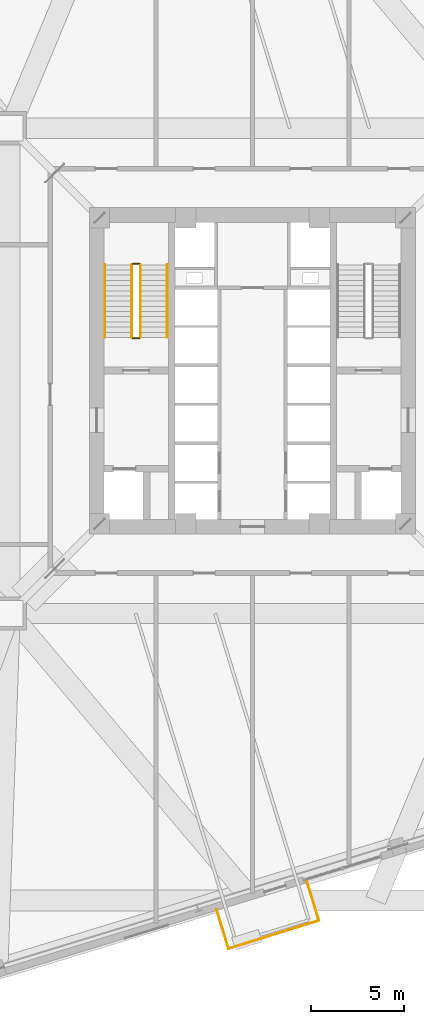
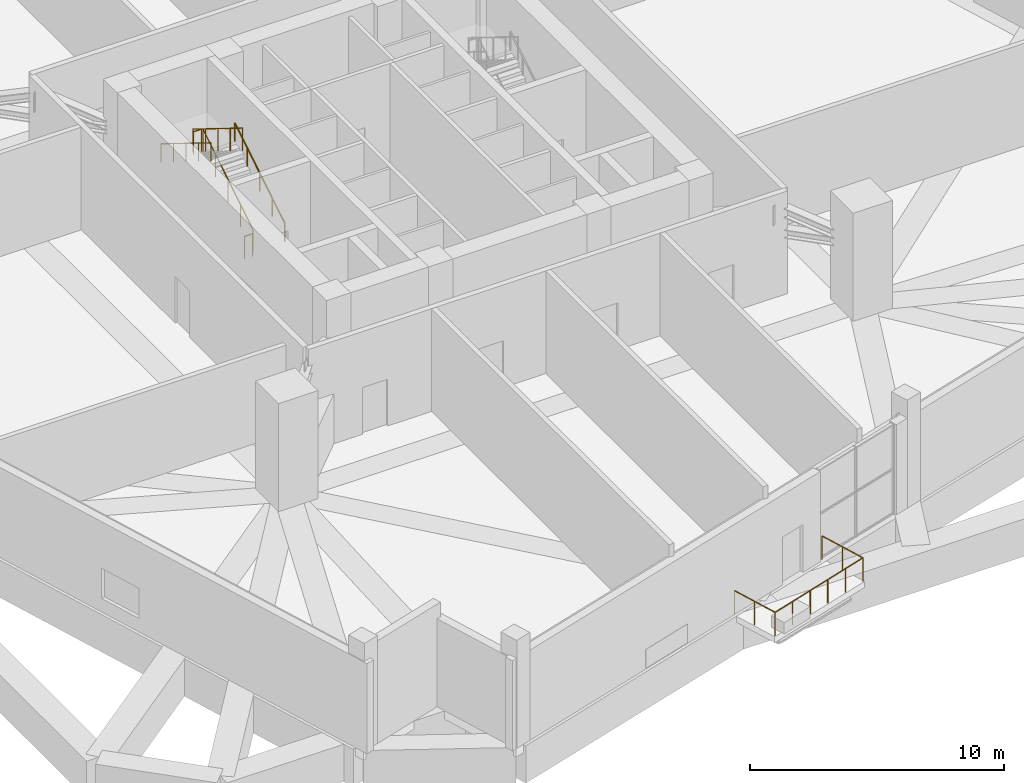
# One storey, part 20 of 22: 9 railings.
"""IFC4 building model written with IfcOpenShell, lengths in metres."""

from ifc_helpers import new_model, si_unit, direction, frame, origin, origin_2d, place, context, subcontext, project, spatial, circle, extrude, source, transform, mapped, material, type_object, element, save


model = new_model("IFC4")

# Units and contexts
model_context = context("Model", 3, precision=1e-05, world=origin(), true_north=direction((0.0, 1.0)))
body_context = subcontext(model_context, "Body", "Model", "MODEL_VIEW")
ifc_project = project(units=[si_unit("LENGTHUNIT", "METRE"), si_unit("AREAUNIT", "SQUARE_METRE"), si_unit("VOLUMEUNIT", "CUBIC_METRE"), si_unit("PLANEANGLEUNIT", "RADIAN"), si_unit("MASSUNIT", "GRAM", prefix="KILO"), si_unit("THERMODYNAMICTEMPERATUREUNIT", "KELVIN")], contexts=[model_context])

# Site, building, storey
site_placement = place(None, origin())
site = spatial("IfcSite", under=ifc_project, at=site_placement, CompositionType="ELEMENT")
building_placement = place(site_placement, origin())
building = spatial("IfcBuilding", under=site, at=building_placement, Name="Kosmvard Interchange Tower", CompositionType="ELEMENT")
storey_placement = place(building_placement, frame((0.0, 0.0, 78.0)))
storey = spatial("IfcBuildingStorey", under=building, at=storey_placement, Name="L18", CompositionType="ELEMENT", Elevation=78.0)

# Railings
ifc_material = material(Name="Steel S355", Category="steel")
railing_type_1 = type_object("IfcRailingType", Name="Observation & Balcony Glass-Infill Balustrade 1150", PredefinedType="BALUSTRADE", material=ifc_material)
shared_shape_1 = source(origin(), body_context, "Body", "SweptSolid", [
    extrude(circle(Radius=0.02392578125, at=origin_2d()), frame((0.0, 0.0, 1.1259765625), z_axis=(0.292424349234, -0.956288659336, 0.0), x_axis=(0.956288659336, 0.292424349234, 0.0)), (0.0, 0.0, 1.0), 2.199951171875),
    extrude(circle(Radius=0.02099609375, at=origin_2d()), origin(), (0.0, 0.0, 1.0), 1.101806640625),
    extrude(circle(Radius=0.02099609375, at=origin_2d()), frame((0.32177734375, -1.0517578125, 0.0)), (0.0, 0.0, 1.0), 1.101806640625),
    extrude(circle(Radius=0.02099609375, at=origin_2d()), frame((0.643310546875, -2.103759765625, 0.0)), (0.0, 0.0, 1.0), 1.101806640625),
])
railing_1_placement = place(storey_placement, frame((-1.929931640625, -29.048583984375, 0.0)))
element("IfcRailing", 1, at=railing_1_placement, inside=storey, type_object=railing_type_1, Name="L18 Outdoor Terrace Guard SKG-L18-S-A", PredefinedType="BALUSTRADE", context=body_context, shape_type="MappedRepresentation", body=[
    mapped(shared_shape_1, transform((0.0, 0.0, 0.0), scale=1.0)),
])
shared_shape_2 = source(origin(), body_context, "Body", "SweptSolid", [
    extrude(circle(Radius=0.02392578125, at=origin_2d()), frame((0.0, 0.0, 1.1259765625), z_axis=(0.9547816624, 0.29730788275, 0.0), x_axis=(-0.29730788275, 0.9547816624, 0.0)), (0.0, 0.0, 1.0), 5.103515625),
    extrude(circle(Radius=0.02099609375, at=origin_2d()), origin(), (0.0, 0.0, 1.0), 1.101806640625),
    extrude(circle(Radius=0.02099609375, at=origin_2d()), frame((0.974609375, 0.303466796875, 0.0)), (0.0, 0.0, 1.0), 1.101806640625),
    extrude(circle(Radius=0.02099609375, at=origin_2d()), frame((1.94921875, 0.60693359375, 0.0)), (0.0, 0.0, 1.0), 1.101806640625),
    extrude(circle(Radius=0.02099609375, at=origin_2d()), frame((2.923583984375, 0.910400390625, 0.0)), (0.0, 0.0, 1.0), 1.101806640625),
    extrude(circle(Radius=0.02099609375, at=origin_2d()), frame((3.898193359375, 1.2138671875, 0.0)), (0.0, 0.0, 1.0), 1.101806640625),
    extrude(circle(Radius=0.02099609375, at=origin_2d()), frame((4.872802734375, 1.517333984375, 0.0)), (0.0, 0.0, 1.0), 1.101806640625),
])
railing_2_placement = place(storey_placement, frame((-1.28662109375, -31.15234375, 0.0)))
element("IfcRailing", 2, at=railing_2_placement, inside=storey, type_object=railing_type_1, Name="L18 Outdoor Terrace Guard SKG-L18-S-B", PredefinedType="BALUSTRADE", context=body_context, shape_type="MappedRepresentation", body=[
    mapped(shared_shape_2, transform((0.0, 0.0, 0.0), scale=1.0)),
])
shared_shape_3 = source(origin(), body_context, "Body", "SweptSolid", [
    extrude(circle(Radius=0.02392578125, at=origin_2d()), frame((0.0, 0.0, 1.1259765625), z_axis=(-0.292393318538, 0.956298147689, 0.0), x_axis=(-0.956298147689, -0.292393318538, 0.0)), (0.0, 0.0, 1.0), 2.2001953125),
    extrude(circle(Radius=0.02099609375, at=origin_2d()), origin(), (0.0, 0.0, 1.0), 1.101806640625),
    extrude(circle(Radius=0.02099609375, at=origin_2d()), frame((-0.32177734375, 1.052001953125, 0.0)), (0.0, 0.0, 1.0), 1.101806640625),
    extrude(circle(Radius=0.02099609375, at=origin_2d()), frame((-0.643310546875, 2.10400390625, 0.0)), (0.0, 0.0, 1.0), 1.101806640625),
])
railing_3_placement = place(storey_placement, frame((3.586181640625, -29.635009765625, 0.0)))
element("IfcRailing", 3, at=railing_3_placement, inside=storey, type_object=railing_type_1, Name="L18 Outdoor Terrace Guard SKG-L18-S-C", PredefinedType="BALUSTRADE", context=body_context, shape_type="MappedRepresentation", body=[
    mapped(shared_shape_3, transform((0.0, 0.0, 0.0), scale=1.0)),
])
railing_type_2 = type_object("IfcRailingType", Name="Stair & Terrace Safety Guardrail 1100 Steel", PredefinedType="GUARDRAIL", material=ifc_material)
shared_shape_4 = source(origin(), body_context, "Body", "SweptSolid", [
    extrude(circle(Radius=0.02392578125, at=origin_2d()), frame((0.0, 0.0, 1.076171875), z_axis=(-1.0, 0.0, 0.0), x_axis=(0.0, -1.0, 0.0)), (0.0, 0.0, 1.0), 0.35986328125),
    extrude(circle(Radius=0.02099609375, at=origin_2d()), origin(), (0.0, 0.0, 1.0), 1.052001953125),
    extrude(circle(Radius=0.02099609375, at=origin_2d()), frame((-0.35986328125, 0.0, 0.0)), (0.0, 0.0, 1.0), 1.052001953125),
])
for number, where, name in (
    (4, (-6.090087890625, 5.77001953125, 2.60009765625), "L18 ST-1 stair guard 2"),
    (5, (-6.090087890625, 1.75, 0.0), "L18 ST-1 stair guard 4"),
):
    element("IfcRailing", number, at=place(storey_placement, frame(where)), inside=storey, type_object=railing_type_2, Name=name, PredefinedType="GUARDRAIL", context=body_context, shape_type="MappedRepresentation", body=[
        mapped(shared_shape_4, transform((0.0, 0.0, 0.0), scale=1.0)),
    ])
shared_shape_5 = source(origin(), body_context, "Body", "SweptSolid", [
    extrude(circle(Radius=0.02392578125, at=origin_2d()), frame((0.0, 0.0, 1.076171875), z_axis=(0.0, 0.850251603719, 0.526376491091), x_axis=(-1.0, 0.0, 0.0)), (0.0, 0.0, 1.0), 4.6103515625),
    extrude(circle(Radius=0.02099609375, at=origin_2d()), origin(), (0.0, 0.0, 1.0), 1.052001953125),
    extrude(circle(Radius=0.02099609375, at=origin_2d()), frame((0.0, 0.97998046875, 0.606689453125)), (0.0, 0.0, 1.0), 1.052001953125),
    extrude(circle(Radius=0.02099609375, at=origin_2d()), frame((0.0, 1.9599609375, 1.21337890625)), (0.0, 0.0, 1.0), 1.052001953125),
    extrude(circle(Radius=0.02099609375, at=origin_2d()), frame((0.0, 2.93994140625, 1.820068359375)), (0.0, 0.0, 1.0), 1.052001953125),
    extrude(circle(Radius=0.02099609375, at=origin_2d()), frame((0.0, 3.919921875, 2.4267578125)), (0.0, 0.0, 1.0), 1.052001953125),
])
railing_4_placement = place(storey_placement, frame((-6.0400390625, 1.800048828125, 0.17333984375)))
element("IfcRailing", 6, at=railing_4_placement, inside=storey, type_object=railing_type_2, Name="L18 ST-1 stair guard 1", PredefinedType="GUARDRAIL", context=body_context, shape_type="MappedRepresentation", body=[
    mapped(shared_shape_5, transform((0.0, 0.0, 0.0), scale=1.0)),
])
shared_shape_6 = source(origin(), body_context, "Body", "SweptSolid", [
    extrude(circle(Radius=0.02392578125, at=origin_2d()), frame((0.0, 0.0, 1.076171875), z_axis=(0.0, -0.850275303828, 0.526338206574), x_axis=(1.0, 0.0, 0.0)), (0.0, 0.0, 1.0), 4.610107421875),
    extrude(circle(Radius=0.02099609375, at=origin_2d()), origin(), (0.0, 0.0, 1.0), 1.052001953125),
    extrude(circle(Radius=0.02099609375, at=origin_2d()), frame((0.0, -0.97998046875, 0.606689453125)), (0.0, 0.0, 1.0), 1.052001953125),
    extrude(circle(Radius=0.02099609375, at=origin_2d()), frame((0.0, -1.9599609375, 1.21337890625)), (0.0, 0.0, 1.0), 1.052001953125),
    extrude(circle(Radius=0.02099609375, at=origin_2d()), frame((0.0, -2.93994140625, 1.81982421875)), (0.0, 0.0, 1.0), 1.052001953125),
    extrude(circle(Radius=0.02099609375, at=origin_2d()), frame((0.0, -3.919921875, 2.426513671875)), (0.0, 0.0, 1.0), 1.052001953125),
])
railing_5_placement = place(storey_placement, frame((-6.5, 5.719970703125, 2.7734375)))
element("IfcRailing", 7, at=railing_5_placement, inside=storey, type_object=railing_type_2, Name="L18 ST-1 stair guard 3", PredefinedType="GUARDRAIL", context=body_context, shape_type="MappedRepresentation", body=[
    mapped(shared_shape_6, transform((0.0, 0.0, 0.0), scale=1.0)),
])
railing_type_3 = type_object("IfcRailingType", Name="Wall-Mounted Stair Handrail 900 Steel", PredefinedType="HANDRAIL", material=ifc_material)
shared_shape_7 = source(origin(), body_context, "Body", "SweptSolid", [
    extrude(circle(Radius=0.02392578125, at=origin_2d()), frame((0.0, 0.0, 0.8759765625), z_axis=(0.0, 0.850251603719, 0.526376491091), x_axis=(-1.0, 0.0, 0.0)), (0.0, 0.0, 1.0), 4.6103515625),
    extrude(circle(Radius=0.02099609375, at=origin_2d()), origin(), (0.0, 0.0, 1.0), 0.851806640625),
    extrude(circle(Radius=0.02099609375, at=origin_2d()), frame((0.0, 0.97998046875, 0.606689453125)), (0.0, 0.0, 1.0), 0.851806640625),
    extrude(circle(Radius=0.02099609375, at=origin_2d()), frame((0.0, 1.9599609375, 1.21337890625)), (0.0, 0.0, 1.0), 0.851806640625),
    extrude(circle(Radius=0.02099609375, at=origin_2d()), frame((0.0, 2.93994140625, 1.820068359375)), (0.0, 0.0, 1.0), 0.851806640625),
    extrude(circle(Radius=0.02099609375, at=origin_2d()), frame((0.0, 3.919921875, 2.4267578125)), (0.0, 0.0, 1.0), 0.851806640625),
])
railing_6_placement = place(storey_placement, frame((-4.590087890625, 1.800048828125, 0.17333984375)))
element("IfcRailing", 8, at=railing_6_placement, inside=storey, type_object=railing_type_3, Name="L18 ST-1 stair handrail 1", PredefinedType="HANDRAIL", context=body_context, shape_type="MappedRepresentation", body=[
    mapped(shared_shape_7, transform((0.0, 0.0, 0.0), scale=1.0)),
])
shared_shape_8 = source(origin(), body_context, "Body", "SweptSolid", [
    extrude(circle(Radius=0.02392578125, at=origin_2d()), frame((0.0, 0.0, 0.8759765625), z_axis=(0.0, -0.850275303828, 0.526338206574), x_axis=(1.0, 0.0, 0.0)), (0.0, 0.0, 1.0), 4.610107421875),
    extrude(circle(Radius=0.02099609375, at=origin_2d()), origin(), (0.0, 0.0, 1.0), 0.851806640625),
    extrude(circle(Radius=0.02099609375, at=origin_2d()), frame((0.0, -0.97998046875, 0.606689453125)), (0.0, 0.0, 1.0), 0.851806640625),
    extrude(circle(Radius=0.02099609375, at=origin_2d()), frame((0.0, -1.9599609375, 1.21337890625)), (0.0, 0.0, 1.0), 0.851806640625),
    extrude(circle(Radius=0.02099609375, at=origin_2d()), frame((0.0, -2.93994140625, 1.81982421875)), (0.0, 0.0, 1.0), 0.851806640625),
    extrude(circle(Radius=0.02099609375, at=origin_2d()), frame((0.0, -3.919921875, 2.426513671875)), (0.0, 0.0, 1.0), 0.851806640625),
])
railing_7_placement = place(storey_placement, frame((-7.949951171875, 5.719970703125, 2.7734375)))
element("IfcRailing", 9, at=railing_7_placement, inside=storey, type_object=railing_type_3, Name="L18 ST-1 stair handrail 2", PredefinedType="HANDRAIL", context=body_context, shape_type="MappedRepresentation", body=[
    mapped(shared_shape_8, transform((0.0, 0.0, 0.0), scale=1.0)),
])

save(model, "model.ifc")
